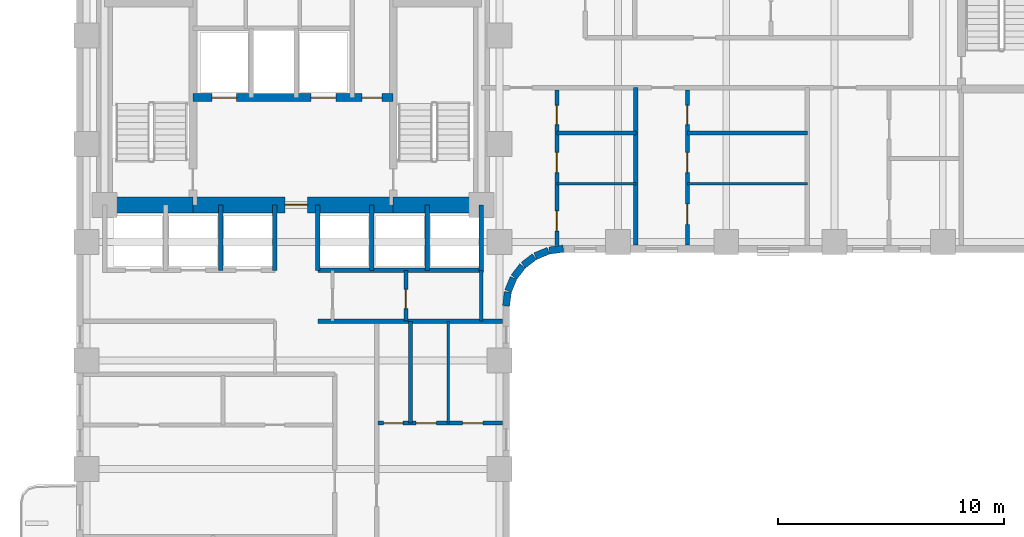
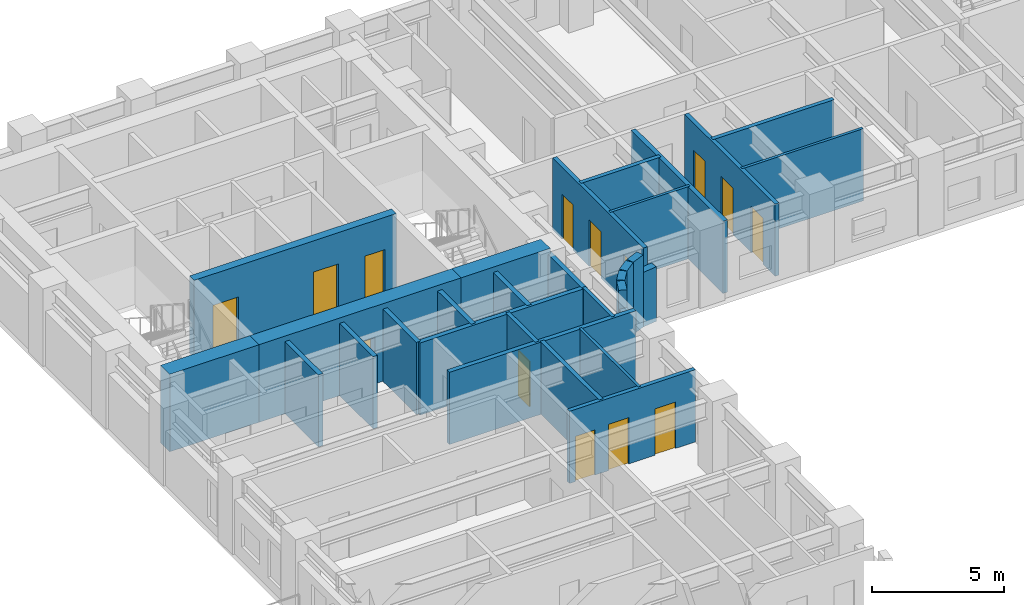
# One storey, part 4 of 11: 30 walls, 14 doors, 14 openings.
"""IFC4 building model written with IfcOpenShell, lengths in metres."""

from ifc_helpers import new_model, si_unit, direction, frame, frame_2d, origin, place, context, subcontext, project, spatial, rectangle, extrude, material, layer, layer_set, type_object, element, fill, save


model = new_model("IFC4")

# Units and contexts
model_context = context("Model", 3, precision=1e-05, world=origin(), true_north=direction((0.0, 1.0)))
body_context = subcontext(model_context, "Body", "Model", "MODEL_VIEW")
ifc_project = project(units=[si_unit("LENGTHUNIT", "METRE"), si_unit("AREAUNIT", "SQUARE_METRE"), si_unit("VOLUMEUNIT", "CUBIC_METRE"), si_unit("PLANEANGLEUNIT", "RADIAN"), si_unit("MASSUNIT", "GRAM", prefix="KILO")], contexts=[model_context])

# Site, building, storey
site_placement = place(None, origin())
site = spatial("IfcSite", under=ifc_project, at=site_placement, CompositionType="ELEMENT")
building_placement = place(site_placement, origin())
building = spatial("IfcBuilding", under=site, at=building_placement, Name="Orvandelia Arch Residences", CompositionType="ELEMENT")
storey_placement = place(building_placement, frame((0.0, 0.0, 50.199951171875)))
storey = spatial("IfcBuildingStorey", under=building, at=storey_placement, Name="L12", CompositionType="ELEMENT", Elevation=50.199951171875)

# Wall, openings, doors
ifc_material_1 = material(Name="Concrete C50/60", Category="concrete")
ifc_layer_1 = layer(ifc_material_1, 0.35009765625, Name="Concrete C50/60", Category="concrete")
ifc_layer_set_1 = layer_set([ifc_layer_1], Name="Concrete C50/60")
wall_type_1 = type_object("IfcWallType", Name="WL-CORE-350", PredefinedType="SHEAR", material=ifc_layer_set_1)
wall_1_placement = place(storey_placement, frame((9.9599609375, 35.64990234375, 0.0), z_axis=(0.0, 0.0, 1.0), x_axis=(1.0, 0.0, 0.0)))
wall_1 = element("IfcWall", 1, at=wall_1_placement, inside=storey, type_object=wall_type_1, Name="Core Shear Wall L12-HZ3", PredefinedType="SHEAR", context=body_context, shape_type="SweptSolid", body=[
    extrude(rectangle(XDim=8.880126953125, YDim=0.35009765625, at=frame_2d((4.43994140625, 0.0))), origin(), (0.0, 0.0, 1.0), 3.60009765625),
])
opening_1_placement = place(wall_1_placement, frame((0.840087890625, 0.0, 0.0)))
opening_1 = element("IfcOpeningElement", 2, at=opening_1_placement, cuts=wall_1, Name="Opening FLD", PredefinedType="OPENING", context=body_context, shape_type="SweptSolid", body=[
    extrude(rectangle(XDim=1.10009765625, YDim=2.14990234375, at=frame_2d((0.550048828125, 1.074951171875))), frame((0.0, 0.18505859375, 0.0), z_axis=(0.0, -1.0, 0.0), x_axis=(1.0, 0.0, 0.0)), (0.0, 0.0, 1.0), 0.3701171875),
])
opening_2_placement = place(wall_1_placement, frame((5.239990234375, 0.0, 0.0)))
opening_2 = element("IfcOpeningElement", 3, at=opening_2_placement, cuts=wall_1, Name="Opening FLD", PredefinedType="OPENING", context=body_context, shape_type="SweptSolid", body=[
    extrude(rectangle(XDim=1.10009765625, YDim=2.14990234375, at=frame_2d((0.550048828125, 1.074951171875))), frame((0.0, 0.18505859375, 0.0), z_axis=(0.0, -1.0, 0.0), x_axis=(1.0, 0.0, 0.0)), (0.0, 0.0, 1.0), 0.3701171875),
])
opening_3_placement = place(wall_1_placement, frame((7.5, 0.0, 0.0)))
opening_3 = element("IfcOpeningElement", 4, at=opening_3_placement, cuts=wall_1, Name="Opening D5", PredefinedType="OPENING", context=body_context, shape_type="SweptSolid", body=[
    extrude(rectangle(XDim=0.8798828125, YDim=2.10009765625, at=frame_2d((0.43994140625, 1.050048828125))), frame((0.0, 0.18505859375, 0.0), z_axis=(0.0, -1.0, 0.0), x_axis=(1.0, 0.0, 0.0)), (0.0, 0.0, 1.0), 0.3701171875),
])
ifc_material_2 = material(Name="Firefighting Lift Stainless Sliding Door")
door_type_1 = type_object("IfcDoorType", Name="DR-FLFT-1100", OperationType="NOTDEFINED", PredefinedType="DOOR", material=ifc_material_2)
door_1_placement = place(opening_1_placement, origin())
door_1 = element("IfcDoor", 5, at=door_1_placement, inside=storey, type_object=door_type_1, Name="Firefighting Lift Landing Door FLD-FL1-L12", OperationType="SLIDING_TO_LEFT", OverallHeight=2.14990234375, OverallWidth=1.10009765625, PredefinedType="DOOR", context=body_context, shape_type="SweptSolid", body=[
    extrude(rectangle(XDim=1.10009765625, YDim=2.14990234375, at=frame_2d((0.550048828125, 1.074951171875))), frame((0.0, 0.02490234375, 0.0), z_axis=(0.0, -1.0, 0.0), x_axis=(1.0, 0.0, 0.0)), (0.0, 0.0, 1.0), 0.050048828125),
])
fill(opening_1, door_1)
door_2_placement = place(opening_2_placement, origin())
door_2 = element("IfcDoor", 6, at=door_2_placement, inside=storey, type_object=door_type_1, Name="Firefighting Lift Landing Door FLD-FL2-L12", OperationType="SLIDING_TO_RIGHT", OverallHeight=2.14990234375, OverallWidth=1.10009765625, PredefinedType="DOOR", context=body_context, shape_type="SweptSolid", body=[
    extrude(rectangle(XDim=1.10009765625, YDim=2.14990234375, at=frame_2d((0.550048828125, 1.074951171875))), frame((0.0, 0.02490234375, 0.0), z_axis=(0.0, -1.0, 0.0), x_axis=(1.0, 0.0, 0.0)), (0.0, 0.0, 1.0), 0.050048828125),
])
fill(opening_2, door_2)
ifc_material_3 = material(Name="Painted Galvanised Steel Service Door", Category="steel")
door_type_2 = type_object("IfcDoorType", Name="DR-SRV-880", OperationType="NOTDEFINED", PredefinedType="DOOR", material=ifc_material_3)
door_3_placement = place(opening_3_placement, origin())
door_3 = element("IfcDoor", 7, at=door_3_placement, inside=storey, type_object=door_type_2, Name="Core Stairway Passage South Fire Door L12", OperationType="SINGLE_SWING_LEFT", OverallHeight=2.10009765625, OverallWidth=0.8798828125, PredefinedType="DOOR", context=body_context, shape_type="SweptSolid", body=[
    extrude(rectangle(XDim=0.8798828125, YDim=2.10009765625, at=frame_2d((0.43994140625, 1.050048828125))), frame((0.0, 0.02490234375, 0.0), z_axis=(0.0, -1.0, 0.0), x_axis=(1.0, 0.0, 0.0)), (0.0, 0.0, 1.0), 0.050048828125),
])
fill(opening_3, door_3)

# Wall
ifc_material_4 = material(Name="Concrete C80/95", Category="concrete")
ifc_layer_2 = layer(ifc_material_4, 0.699951171875, Name="Concrete C80/95", Category="concrete")
ifc_layer_set_2 = layer_set([ifc_layer_2], Name="Concrete C80/95")
wall_type_2 = type_object("IfcWallType", Name="WL-CORE-700", PredefinedType="SHEAR", material=ifc_layer_set_2)
wall_2_placement = place(storey_placement, frame((6.050048828125, 30.89990234375, 0.0), z_axis=(0.0, 0.0, 1.0), x_axis=(1.0, 0.0, 0.0)))
element("IfcWall", 8, at=wall_2_placement, inside=storey, type_object=wall_type_2, Name="Core Shear Wall L12-SW", PredefinedType="SHEAR", context=body_context, shape_type="SweptSolid", body=[
    extrude(rectangle(XDim=3.909912109375, YDim=0.699951171875, at=frame_2d((1.955078125, 0.0))), origin(), (0.0, 0.0, 1.0), 3.60009765625),
])

# Wall, opening, door
wall_3_placement = place(storey_placement, frame((9.9599609375, 30.89990234375, 0.0), z_axis=(0.0, 0.0, 1.0), x_axis=(1.0, 0.0, 0.0)))
wall_3 = element("IfcWall", 9, at=wall_3_placement, inside=storey, type_object=wall_type_2, Name="Core Shear Wall L12-SM", PredefinedType="SHEAR", context=body_context, shape_type="SweptSolid", body=[
    extrude(rectangle(XDim=8.880126953125, YDim=0.699951171875, at=frame_2d((4.43994140625, 0.0))), origin(), (0.0, 0.0, 1.0), 3.60009765625),
])
opening_4_placement = place(wall_3_placement, frame((4.090087890625, 0.0, 0.0)))
opening_4 = element("IfcOpeningElement", 10, at=opening_4_placement, cuts=wall_3, Name="Opening D6", PredefinedType="OPENING", context=body_context, shape_type="SweptSolid", body=[
    extrude(rectangle(XDim=1.0, YDim=2.14990234375, at=frame_2d((0.5, 1.074951171875))), frame((0.0, 0.35986328125, 0.0), z_axis=(0.0, -1.0, 0.0), x_axis=(1.0, 0.0, 0.0)), (0.0, 0.0, 1.0), 0.719970703125),
])
ifc_material_5 = material(Name="Smokeproof Painted Steel Fire Door", Category="steel")
door_type_3 = type_object("IfcDoorType", Name="DR-FD60-1000", OperationType="NOTDEFINED", PredefinedType="DOOR", material=ifc_material_5)
door_4_placement = place(opening_4_placement, origin())
door_4 = element("IfcDoor", 11, at=door_4_placement, inside=storey, type_object=door_type_3, Name="Firefighting Lobby Smokeproof Door L12", OperationType="SINGLE_SWING_LEFT", OverallHeight=2.14990234375, OverallWidth=1.0, PredefinedType="DOOR", context=body_context, shape_type="SweptSolid", body=[
    extrude(rectangle(XDim=1.0, YDim=2.14990234375, at=frame_2d((0.5, 1.074951171875))), frame((0.0, 0.02490234375, 0.0), z_axis=(0.0, -1.0, 0.0), x_axis=(1.0, 0.0, 0.0)), (0.0, 0.0, 1.0), 0.050048828125),
])
fill(opening_4, door_4)

# Walls
wall_4_placement = place(storey_placement, frame((18.840087890625, 30.89990234375, 0.0), z_axis=(0.0, 0.0, 1.0), x_axis=(1.0, 0.0, 0.0)))
element("IfcWall", 12, at=wall_4_placement, inside=storey, type_object=wall_type_2, Name="Core Shear Wall L12-SE", PredefinedType="SHEAR", context=body_context, shape_type="SweptSolid", body=[
    extrude(rectangle(XDim=3.909912109375, YDim=0.699951171875, at=frame_2d((1.955078125, 0.0))), origin(), (0.0, 0.0, 1.0), 3.60009765625),
])
ifc_material_6 = material(Name="Fire-Rated Corridor Partition")
ifc_layer_3 = layer(ifc_material_6, 0.199951171875, Name="Fire-Rated Corridor Partition")
ifc_layer_set_3 = layer_set([ifc_layer_3], Name="Fire-Rated Corridor Partition")
wall_type_3 = type_object("IfcWallType", Name="WL-CORR-200", PredefinedType="PARTITIONING", material=ifc_layer_set_3)
wall_5_placement = place(storey_placement, frame((15.5, 25.75, 0.0), z_axis=(0.0, 0.0, 1.0), x_axis=(1.0, 0.0, 0.0)))
element("IfcWall", 13, at=wall_5_placement, inside=storey, type_object=wall_type_3, Name="Interior Partition Wall WL-L12-WLNK-NE", PredefinedType="PARTITIONING", context=body_context, shape_type="SweptSolid", body=[
    extrude(rectangle(XDim=8.179931640625, YDim=0.199951171875, at=frame_2d((4.08984375, 0.0))), origin(), (0.0, 0.0, 1.0), 3.35009765625),
])
ifc_material_7 = material(Name="Concrete C40/50", Category="concrete")
ifc_layer_4 = layer(ifc_material_7, 0.199951171875, Name="Concrete C40/50", Category="concrete")
ifc_layer_set_4 = layer_set([ifc_layer_4], Name="Concrete C40/50")
wall_type_4 = type_object("IfcWallType", Name="WL-DEM-200", PredefinedType="SOLIDWALL", material=ifc_layer_set_4)
wall_6_placement = place(storey_placement, frame((29.60009765625, 29.1201171875, 0.0), z_axis=(0.0, 0.0, 1.0), x_axis=(0.0, 1.0, 0.0)))
element("IfcWall", 14, at=wall_6_placement, inside=storey, type_object=wall_type_4, Name="Interior Partition Wall WL-L12-DEM-EMS-296", PredefinedType="SOLIDWALL", context=body_context, shape_type="SweptSolid", body=[
    extrude(rectangle(XDim=6.97998046875, YDim=0.199951171875, at=frame_2d((3.489990234375, 0.0))), origin(), (0.0, 0.0, 1.0), 3.35009765625),
])
ifc_material_8 = material(Name="Precast concrete C40/50", Category="concrete")
ifc_layer_5 = layer(ifc_material_8, 0.320068359375, Name="Precast concrete C40/50", Category="concrete")
ifc_layer_set_5 = layer_set([ifc_layer_5], Name="Precast concrete C40/50")
wall_type_5 = type_object("IfcWallType", Name="WL-EXT-STONE-320", PredefinedType="STANDARD", material=ifc_layer_set_5)
wall_7_placement = place(storey_placement, frame((26.379150390625, 28.95849609375, 0.0), z_axis=(0.0, 0.0, 1.0), x_axis=(-0.991447664465, -0.130504898859, 0.0)))
element("IfcWall", 15, at=wall_7_placement, inside=storey, type_object=wall_type_5, Name="Coral-Limestone Precast Facade Wall L12-022", PredefinedType="STANDARD", context=body_context, shape_type="SweptSolid", body=[
    extrude(rectangle(XDim=0.626708984375, YDim=0.320068359375, at=frame_2d((0.3134765625, 0.0))), origin(), (0.0, 0.0, 1.0), 2.530029296875),
])
wall_8_placement = place(storey_placement, frame((25.717529296875, 28.865966796875, 0.0), z_axis=(0.0, 0.0, 1.0), x_axis=(-0.923836271867, -0.382787856107, 0.0)))
element("IfcWall", 16, at=wall_8_placement, inside=storey, type_object=wall_type_5, Name="Coral-Limestone Precast Facade Wall L12-023", PredefinedType="STANDARD", context=body_context, shape_type="SweptSolid", body=[
    extrude(rectangle(XDim=0.626220703125, YDim=0.320068359375, at=frame_2d((0.31298828125, 0.0))), origin(), (0.0, 0.0, 1.0), 3.35009765625),
])
for number, where, z_axis, x_axis, name in (
    (17, (25.1025390625, 28.60546875, 0.0), (0.0, 0.0, 1.0), (-0.793405610854, -0.608693302629, 0.0), "Coral-Limestone Precast Facade Wall L12-024"),
    (18, (24.575927734375, 28.194580078125, 0.0), (0.0, 0.0, 1.0), (-0.608693302629, -0.793405610854, 0.0), "Coral-Limestone Precast Facade Wall L12-025"),
):
    element("IfcWall", number, at=place(storey_placement, frame(where, z_axis=z_axis, x_axis=x_axis)), inside=storey, type_object=wall_type_5, Name=name, PredefinedType="STANDARD", context=body_context, shape_type="SweptSolid", body=[
        extrude(rectangle(XDim=0.62646484375, YDim=0.320068359375, at=frame_2d((0.313232421875, 0.0))), origin(), (0.0, 0.0, 1.0), 3.35009765625),
    ])
wall_9_placement = place(storey_placement, frame((24.173583984375, 27.6611328125, 0.0), z_axis=(0.0, 0.0, 1.0), x_axis=(-0.382455093999, -0.923974080304, 0.0)))
element("IfcWall", 19, at=wall_9_placement, inside=storey, type_object=wall_type_5, Name="Coral-Limestone Precast Facade Wall L12-026", PredefinedType="STANDARD", context=body_context, shape_type="SweptSolid", body=[
    extrude(rectangle(XDim=0.626220703125, YDim=0.320068359375, at=frame_2d((0.31298828125, 0.0))), origin(), (0.0, 0.0, 1.0), 3.35009765625),
])
wall_10_placement = place(storey_placement, frame((23.923095703125, 27.0419921875, 0.0), z_axis=(0.0, 0.0, 1.0), x_axis=(-0.130555323746, -0.9914410257, 0.0)))
element("IfcWall", 20, at=wall_10_placement, inside=storey, type_object=wall_type_5, Name="Coral-Limestone Precast Facade Wall L12-027", PredefinedType="STANDARD", context=body_context, shape_type="SweptSolid", body=[
    extrude(rectangle(XDim=0.62646484375, YDim=0.320068359375, at=frame_2d((0.313232421875, 0.0))), origin(), (0.0, 0.0, 1.0), 2.530029296875),
])
ifc_material_9 = material(Name="Lightweight Gypsum Stud Partition")
ifc_layer_6 = layer(ifc_material_9, 0.1201171875, Name="Lightweight Gypsum Stud Partition")
ifc_layer_set_6 = layer_set([ifc_layer_6], Name="Lightweight Gypsum Stud Partition")
wall_type_6 = type_object("IfcWallType", Name="WL-PART-120", PredefinedType="PARTITIONING", material=ifc_layer_set_6)
wall_11_placement = place(storey_placement, frame((21.284912109375, 21.22412109375, 0.0), z_axis=(0.0, 0.0, 1.0), x_axis=(0.0, 1.0, 0.0)))
element("IfcWall", 21, at=wall_11_placement, inside=storey, type_object=wall_type_6, Name="Interior Partition Wall WL-L12-U05-V2", PredefinedType="PARTITIONING", context=body_context, shape_type="SweptSolid", body=[
    extrude(rectangle(XDim=4.495849609375, YDim=0.1201171875, at=frame_2d((2.248046875, 0.0))), origin(), (0.0, 0.0, 1.0), 3.35009765625),
])
wall_12_placement = place(storey_placement, frame((26.093017578125, 31.8359375, 0.0), z_axis=(0.0, 0.0, 1.0), x_axis=(1.0, 0.0, 0.0)))
element("IfcWall", 22, at=wall_12_placement, inside=storey, type_object=wall_type_6, Name="Interior Partition Wall WL-L12-U06-H1", PredefinedType="PARTITIONING", context=body_context, shape_type="SweptSolid", body=[
    extrude(rectangle(XDim=3.507080078125, YDim=0.1201171875, at=frame_2d((1.75341796875, 0.0))), origin(), (0.0, 0.0, 1.0), 3.35009765625),
])
wall_13_placement = place(storey_placement, frame((31.8798828125, 31.8359375, 0.0), z_axis=(0.0, 0.0, 1.0), x_axis=(1.0, 0.0, 0.0)))
element("IfcWall", 23, at=wall_13_placement, inside=storey, type_object=wall_type_6, Name="Interior Partition Wall WL-L12-U07-H1", PredefinedType="PARTITIONING", context=body_context, shape_type="SweptSolid", body=[
    extrude(rectangle(XDim=5.320068359375, YDim=0.1201171875, at=frame_2d((2.66015625, 0.0))), origin(), (0.0, 0.0, 1.0), 3.35009765625),
])
ifc_material_10 = material(Name="Acoustic Gypsum Stud Partition")
ifc_layer_7 = layer(ifc_material_10, 0.14990234375, Name="Acoustic Gypsum Stud Partition")
ifc_layer_set_7 = layer_set([ifc_layer_7], Name="Acoustic Gypsum Stud Partition")
wall_type_7 = type_object("IfcWallType", Name="WL-PART-150", PredefinedType="PARTITIONING", material=ifc_layer_set_7)
wall_14_placement = place(storey_placement, frame((22.75, 25.75, 0.0), z_axis=(0.0, 0.0, 1.0), x_axis=(0.0, 1.0, 0.0)))
element("IfcWall", 24, at=wall_14_placement, inside=storey, type_object=wall_type_7, Name="Interior Partition Wall WL-L12-HLS-EE", PredefinedType="PARTITIONING", context=body_context, shape_type="SweptSolid", body=[
    extrude(rectangle(XDim=2.25, YDim=0.14990234375, at=frame_2d((1.125, 0.0))), origin(), (0.0, 0.0, 1.0), 3.35009765625),
])
ifc_material_11 = material(Name="Fire-Rated Shaft Enclosure Wall")
ifc_layer_8 = layer(ifc_material_11, 0.199951171875, Name="Fire-Rated Shaft Enclosure Wall")
ifc_layer_set_8 = layer_set([ifc_layer_8], Name="Fire-Rated Shaft Enclosure Wall")
wall_type_8 = type_object("IfcWallType", Name="WL-SHAFT-200", PredefinedType="POLYGONAL", material=ifc_layer_set_8)
wall_15_placement = place(storey_placement, frame((15.5, 28.0, 0.0), z_axis=(0.0, 0.0, 1.0), x_axis=(1.0, 0.0, 0.0)))
element("IfcWall", 25, at=wall_15_placement, inside=storey, type_object=wall_type_8, Name="Interior Partition Wall WL-L12-BNKM-S", PredefinedType="POLYGONAL", context=body_context, shape_type="SweptSolid", body=[
    extrude(rectangle(XDim=7.25, YDim=0.199951171875, at=frame_2d((3.625, 0.0))), origin(), (0.0, 0.0, 1.0), 3.35009765625),
])
wall_16_placement = place(storey_placement, frame((22.75, 27.89990234375, 0.0), z_axis=(0.0, 0.0, 1.0), x_axis=(0.0, 1.0, 0.0)))
element("IfcWall", 26, at=wall_16_placement, inside=storey, type_object=wall_type_8, Name="Interior Partition Wall WL-L12-BNKM-E", PredefinedType="POLYGONAL", context=body_context, shape_type="SweptSolid", body=[
    extrude(rectangle(XDim=3.0, YDim=0.199951171875, at=frame_2d((1.5, 0.0))), origin(), (0.0, 0.0, 1.0), 3.35009765625),
])
for number, where, z_axis, x_axis, name in (
    (27, (13.60009765625, 28.0, 0.0), (0.0, 0.0, 1.0), (0.0, 1.0, 0.0), "Interior Partition Wall WL-L12-BNKL-E"),
    (28, (15.5, 28.0, 0.0), (0.0, 0.0, 1.0), (0.0, 1.0, 0.0), "Interior Partition Wall WL-L12-BNKM-W"),
    (29, (11.199951171875, 28.0, 0.0), (0.0, 0.0, 1.0), (0.0, 1.0, 0.0), "Interior Partition Wall WL-L12-BNKD-1120"),
    (30, (17.89990234375, 28.0, 0.0), (0.0, 0.0, 1.0), (0.0, 1.0, 0.0), "Interior Partition Wall WL-L12-BNKD-1789"),
    (31, (20.35009765625, 28.0, 0.0), (0.0, 0.0, 1.0), (0.0, 1.0, 0.0), "Interior Partition Wall WL-L12-BNKD-2035"),
):
    element("IfcWall", number, at=place(storey_placement, frame(where, z_axis=z_axis, x_axis=x_axis)), inside=storey, type_object=wall_type_8, Name=name, PredefinedType="POLYGONAL", context=body_context, shape_type="SweptSolid", body=[
        extrude(rectangle(XDim=2.89990234375, YDim=0.199951171875, at=frame_2d((1.449951171875, 0.0))), origin(), (0.0, 0.0, 1.0), 3.35009765625),
    ])

# Wall, opening, door
ifc_material_12 = material(Name="Moisture-Resistant Plumbing Wall")
ifc_layer_9 = layer(ifc_material_12, 0.179931640625, Name="Moisture-Resistant Plumbing Wall")
ifc_layer_set_9 = layer_set([ifc_layer_9], Name="Moisture-Resistant Plumbing Wall")
wall_type_9 = type_object("IfcWallType", Name="WL-WET-180", PredefinedType="PLUMBINGWALL", material=ifc_layer_set_9)
wall_17_placement = place(storey_placement, frame((19.39990234375, 25.75, 0.0), z_axis=(0.0, 0.0, 1.0), x_axis=(0.0, 1.0, 0.0)))
wall_17 = element("IfcWall", 32, at=wall_17_placement, inside=storey, type_object=wall_type_9, Name="Interior Partition Wall WL-L12-HLS-ZM2", PredefinedType="PLUMBINGWALL", context=body_context, shape_type="SweptSolid", body=[
    extrude(rectangle(XDim=2.25, YDim=0.179931640625, at=frame_2d((1.125, 0.0))), origin(), (0.0, 0.0, 1.0), 3.35009765625),
])
opening_5_placement = place(wall_17_placement, frame((0.550048828125, 0.0, 0.0)))
opening_5 = element("IfcOpeningElement", 33, at=opening_5_placement, cuts=wall_17, Name="Opening D4", PredefinedType="OPENING", context=body_context, shape_type="SweptSolid", body=[
    extrude(rectangle(XDim=0.860107421875, YDim=2.10009765625, at=frame_2d((0.43017578125, 1.050048828125))), frame((0.0, 0.10009765625, 0.0), z_axis=(0.0, -1.0, 0.0), x_axis=(1.0, 0.0, 0.0)), (0.0, 0.0, 1.0), 0.199951171875),
])
ifc_material_13 = material(Name="Moisture-Sealed Timber Bathroom Door", Category="wood")
door_type_4 = type_object("IfcDoorType", Name="DR-WET-900", OperationType="NOTDEFINED", PredefinedType="DOOR", material=ifc_material_13)
door_5_placement = place(opening_5_placement, origin())
door_5 = element("IfcDoor", 34, at=door_5_placement, inside=storey, type_object=door_type_4, Name="DR-L12-CSZ1B", OperationType="SINGLE_SWING_LEFT", OverallHeight=2.10009765625, OverallWidth=0.860107421875, PredefinedType="DOOR", context=body_context, shape_type="SweptSolid", body=[
    extrude(rectangle(XDim=0.860107421875, YDim=2.10009765625, at=frame_2d((0.43017578125, 1.050048828125))), frame((0.0, 0.02490234375, 0.0), z_axis=(0.0, -1.0, 0.0), x_axis=(1.0, 0.0, 0.0)), (0.0, 0.0, 1.0), 0.050048828125),
])
fill(opening_5, door_5)

# Wall, openings, doors
wall_18_placement = place(storey_placement, frame((18.159912109375, 21.22412109375, 0.0), z_axis=(0.0, 0.0, 1.0), x_axis=(1.0, 0.0, 0.0)))
wall_18 = element("IfcWall", 35, at=wall_18_placement, inside=storey, type_object=wall_type_9, Name="Interior Partition Wall WL-L12-U05-HZ", PredefinedType="PLUMBINGWALL", context=body_context, shape_type="SweptSolid", body=[
    extrude(rectangle(XDim=5.52001953125, YDim=0.179931640625, at=frame_2d((2.760009765625, 0.0))), origin(), (0.0, 0.0, 1.0), 3.35009765625),
])
opening_6_placement = place(wall_18_placement, frame((0.260009765625, 0.0, 0.0)))
opening_6 = element("IfcOpeningElement", 36, at=opening_6_placement, cuts=wall_18, Name="Opening D4", PredefinedType="OPENING", context=body_context, shape_type="SweptSolid", body=[
    extrude(rectangle(XDim=0.860107421875, YDim=2.10009765625, at=frame_2d((0.43017578125, 1.050048828125))), frame((0.0, 0.10009765625, 0.0), z_axis=(0.0, -1.0, 0.0), x_axis=(1.0, 0.0, 0.0)), (0.0, 0.0, 1.0), 0.199951171875),
])
opening_7_placement = place(wall_18_placement, frame((1.697998046875, 0.0, 0.0)))
opening_7 = element("IfcOpeningElement", 37, at=opening_7_placement, cuts=wall_18, Name="Opening D3", PredefinedType="OPENING", context=body_context, shape_type="SweptSolid", body=[
    extrude(rectangle(XDim=0.89990234375, YDim=2.14990234375, at=frame_2d((0.449951171875, 1.074951171875))), frame((0.0, 0.10009765625, 0.0), z_axis=(0.0, -1.0, 0.0), x_axis=(1.0, 0.0, 0.0)), (0.0, 0.0, 1.0), 0.199951171875),
])
opening_8_placement = place(wall_18_placement, frame((3.757080078125, 0.0, 0.0)))
opening_8 = element("IfcOpeningElement", 38, at=opening_8_placement, cuts=wall_18, Name="Opening D3", PredefinedType="OPENING", context=body_context, shape_type="SweptSolid", body=[
    extrude(rectangle(XDim=0.89990234375, YDim=2.14990234375, at=frame_2d((0.449951171875, 1.074951171875))), frame((0.0, 0.10009765625, 0.0), z_axis=(0.0, -1.0, 0.0), x_axis=(1.0, 0.0, 0.0)), (0.0, 0.0, 1.0), 0.199951171875),
])
ifc_material_14 = material(Name="Engineered Timber Flush Door", Category="wood")
door_type_5 = type_object("IfcDoorType", Name="DR-INT-900", OperationType="NOTDEFINED", PredefinedType="DOOR", material=ifc_material_14)
door_6_placement = place(opening_7_placement, origin())
door_6 = element("IfcDoor", 39, at=door_6_placement, inside=storey, type_object=door_type_5, Name="DR-L12-U05-KIT", OperationType="SINGLE_SWING_LEFT", OverallHeight=2.14990234375, OverallWidth=0.89990234375, PredefinedType="DOOR", context=body_context, shape_type="SweptSolid", body=[
    extrude(rectangle(XDim=0.89990234375, YDim=2.14990234375, at=frame_2d((0.449951171875, 1.074951171875))), frame((0.0, 0.02490234375, 0.0), z_axis=(0.0, -1.0, 0.0), x_axis=(1.0, 0.0, 0.0)), (0.0, 0.0, 1.0), 0.050048828125),
])
fill(opening_7, door_6)
door_7_placement = place(opening_8_placement, origin())
door_7 = element("IfcDoor", 40, at=door_7_placement, inside=storey, type_object=door_type_5, Name="DR-L12-U05-BD1", OperationType="SINGLE_SWING_RIGHT", OverallHeight=2.14990234375, OverallWidth=0.89990234375, PredefinedType="DOOR", context=body_context, shape_type="SweptSolid", body=[
    extrude(rectangle(XDim=0.89990234375, YDim=2.14990234375, at=frame_2d((0.449951171875, 1.074951171875))), frame((0.0, 0.02490234375, 0.0), z_axis=(0.0, -1.0, 0.0), x_axis=(1.0, 0.0, 0.0)), (0.0, 0.0, 1.0), 0.050048828125),
])
fill(opening_8, door_7)
door_8_placement = place(opening_6_placement, origin())
door_8 = element("IfcDoor", 41, at=door_8_placement, inside=storey, type_object=door_type_4, Name="DR-L12-U05-BTH", OperationType="SINGLE_SWING_RIGHT", OverallHeight=2.10009765625, OverallWidth=0.860107421875, PredefinedType="DOOR", context=body_context, shape_type="SweptSolid", body=[
    extrude(rectangle(XDim=0.860107421875, YDim=2.10009765625, at=frame_2d((0.43017578125, 1.050048828125))), frame((0.0, 0.02490234375, 0.0), z_axis=(0.0, -1.0, 0.0), x_axis=(1.0, 0.0, 0.0)), (0.0, 0.0, 1.0), 0.050048828125),
])
fill(opening_6, door_8)

# Wall
wall_19_placement = place(storey_placement, frame((19.597900390625, 21.22412109375, 0.0), z_axis=(0.0, 0.0, 1.0), x_axis=(0.0, 1.0, 0.0)))
element("IfcWall", 42, at=wall_19_placement, inside=storey, type_object=wall_type_9, Name="Interior Partition Wall WL-L12-U05-V1", PredefinedType="PLUMBINGWALL", context=body_context, shape_type="SweptSolid", body=[
    extrude(rectangle(XDim=4.495849609375, YDim=0.179931640625, at=frame_2d((2.248046875, 0.0))), origin(), (0.0, 0.0, 1.0), 3.35009765625),
])

# Wall, openings, doors
wall_20_placement = place(storey_placement, frame((26.093017578125, 29.10009765625, 0.0), z_axis=(0.0, 0.0, 1.0), x_axis=(0.0, 1.0, 0.0)))
wall_20 = element("IfcWall", 43, at=wall_20_placement, inside=storey, type_object=wall_type_9, Name="Interior Partition Wall WL-L12-U06-VT", PredefinedType="PLUMBINGWALL", context=body_context, shape_type="SweptSolid", body=[
    extrude(rectangle(XDim=6.89990234375, YDim=0.179931640625, at=frame_2d((3.449951171875, 0.0))), origin(), (0.0, 0.0, 1.0), 3.35009765625),
])
opening_9_placement = place(wall_20_placement, frame((0.63671875, 0.0, 0.0)))
opening_9 = element("IfcOpeningElement", 44, at=opening_9_placement, cuts=wall_20, Name="Opening D3", PredefinedType="OPENING", context=body_context, shape_type="SweptSolid", body=[
    extrude(rectangle(XDim=0.89990234375, YDim=2.14990234375, at=frame_2d((0.449951171875, 1.074951171875))), frame((0.0, 0.10009765625, 0.0), z_axis=(0.0, -1.0, 0.0), x_axis=(1.0, 0.0, 0.0)), (0.0, 0.0, 1.0), 0.199951171875),
])
opening_10_placement = place(wall_20_placement, frame((3.23046875, 0.0, 0.0)))
opening_10 = element("IfcOpeningElement", 45, at=opening_10_placement, cuts=wall_20, Name="Opening D3", PredefinedType="OPENING", context=body_context, shape_type="SweptSolid", body=[
    extrude(rectangle(XDim=0.89990234375, YDim=2.14990234375, at=frame_2d((0.449951171875, 1.074951171875))), frame((0.0, 0.10009765625, 0.0), z_axis=(0.0, -1.0, 0.0), x_axis=(1.0, 0.0, 0.0)), (0.0, 0.0, 1.0), 0.199951171875),
])
opening_11_placement = place(wall_20_placement, frame((5.351806640625, 0.0, 0.0)))
opening_11 = element("IfcOpeningElement", 46, at=opening_11_placement, cuts=wall_20, Name="Opening D4", PredefinedType="OPENING", context=body_context, shape_type="SweptSolid", body=[
    extrude(rectangle(XDim=0.860107421875, YDim=2.10009765625, at=frame_2d((0.43017578125, 1.050048828125))), frame((0.0, 0.10009765625, 0.0), z_axis=(0.0, -1.0, 0.0), x_axis=(1.0, 0.0, 0.0)), (0.0, 0.0, 1.0), 0.199951171875),
])
door_9_placement = place(opening_9_placement, origin())
door_9 = element("IfcDoor", 47, at=door_9_placement, inside=storey, type_object=door_type_5, Name="DR-L12-U06-BD1", OperationType="SINGLE_SWING_RIGHT", OverallHeight=2.14990234375, OverallWidth=0.89990234375, PredefinedType="DOOR", context=body_context, shape_type="SweptSolid", body=[
    extrude(rectangle(XDim=0.89990234375, YDim=2.14990234375, at=frame_2d((0.449951171875, 1.074951171875))), frame((0.0, 0.02490234375, 0.0), z_axis=(0.0, -1.0, 0.0), x_axis=(1.0, 0.0, 0.0)), (0.0, 0.0, 1.0), 0.050048828125),
])
fill(opening_9, door_9)
door_10_placement = place(opening_10_placement, origin())
door_10 = element("IfcDoor", 48, at=door_10_placement, inside=storey, type_object=door_type_5, Name="DR-L12-U06-KIT", OperationType="SINGLE_SWING_LEFT", OverallHeight=2.14990234375, OverallWidth=0.89990234375, PredefinedType="DOOR", context=body_context, shape_type="SweptSolid", body=[
    extrude(rectangle(XDim=0.89990234375, YDim=2.14990234375, at=frame_2d((0.449951171875, 1.074951171875))), frame((0.0, 0.02490234375, 0.0), z_axis=(0.0, -1.0, 0.0), x_axis=(1.0, 0.0, 0.0)), (0.0, 0.0, 1.0), 0.050048828125),
])
fill(opening_10, door_10)
door_11_placement = place(opening_11_placement, origin())
door_11 = element("IfcDoor", 49, at=door_11_placement, inside=storey, type_object=door_type_4, Name="DR-L12-U06-BTH", OperationType="SINGLE_SWING_RIGHT", OverallHeight=2.10009765625, OverallWidth=0.860107421875, PredefinedType="DOOR", context=body_context, shape_type="SweptSolid", body=[
    extrude(rectangle(XDim=0.860107421875, YDim=2.10009765625, at=frame_2d((0.43017578125, 1.050048828125))), frame((0.0, 0.02490234375, 0.0), z_axis=(0.0, -1.0, 0.0), x_axis=(1.0, 0.0, 0.0)), (0.0, 0.0, 1.0), 0.050048828125),
])
fill(opening_11, door_11)

# Wall
wall_21_placement = place(storey_placement, frame((26.093017578125, 34.0849609375, 0.0), z_axis=(0.0, 0.0, 1.0), x_axis=(1.0, 0.0, 0.0)))
element("IfcWall", 50, at=wall_21_placement, inside=storey, type_object=wall_type_9, Name="Interior Partition Wall WL-L12-U06-H2", PredefinedType="PLUMBINGWALL", context=body_context, shape_type="SweptSolid", body=[
    extrude(rectangle(XDim=3.507080078125, YDim=0.179931640625, at=frame_2d((1.75341796875, 0.0))), origin(), (0.0, 0.0, 1.0), 3.35009765625),
])

# Wall, openings, doors
wall_22_placement = place(storey_placement, frame((31.8798828125, 29.1201171875, 0.0), z_axis=(0.0, 0.0, 1.0), x_axis=(0.0, 1.0, 0.0)))
wall_22 = element("IfcWall", 51, at=wall_22_placement, inside=storey, type_object=wall_type_9, Name="Interior Partition Wall WL-L12-U07-VT", PredefinedType="PLUMBINGWALL", context=body_context, shape_type="SweptSolid", body=[
    extrude(rectangle(XDim=6.8798828125, YDim=0.179931640625, at=frame_2d((3.43994140625, 0.0))), origin(), (0.0, 0.0, 1.0), 3.35009765625),
])
opening_12_placement = place(wall_22_placement, frame((0.916748046875, 0.0, 0.0)))
opening_12 = element("IfcOpeningElement", 52, at=opening_12_placement, cuts=wall_22, Name="Opening D3", PredefinedType="OPENING", context=body_context, shape_type="SweptSolid", body=[
    extrude(rectangle(XDim=0.89990234375, YDim=2.14990234375, at=frame_2d((0.449951171875, 1.074951171875))), frame((0.0, 0.10009765625, 0.0), z_axis=(0.0, -1.0, 0.0), x_axis=(1.0, 0.0, 0.0)), (0.0, 0.0, 1.0), 0.199951171875),
])
opening_13_placement = place(wall_22_placement, frame((3.21044921875, 0.0, 0.0)))
opening_13 = element("IfcOpeningElement", 53, at=opening_13_placement, cuts=wall_22, Name="Opening D3", PredefinedType="OPENING", context=body_context, shape_type="SweptSolid", body=[
    extrude(rectangle(XDim=0.89990234375, YDim=2.14990234375, at=frame_2d((0.449951171875, 1.074951171875))), frame((0.0, 0.10009765625, 0.0), z_axis=(0.0, -1.0, 0.0), x_axis=(1.0, 0.0, 0.0)), (0.0, 0.0, 1.0), 0.199951171875),
])
opening_14_placement = place(wall_22_placement, frame((5.331787109375, 0.0, 0.0)))
opening_14 = element("IfcOpeningElement", 54, at=opening_14_placement, cuts=wall_22, Name="Opening D4", PredefinedType="OPENING", context=body_context, shape_type="SweptSolid", body=[
    extrude(rectangle(XDim=0.860107421875, YDim=2.10009765625, at=frame_2d((0.43017578125, 1.050048828125))), frame((0.0, 0.10009765625, 0.0), z_axis=(0.0, -1.0, 0.0), x_axis=(1.0, 0.0, 0.0)), (0.0, 0.0, 1.0), 0.199951171875),
])
door_12_placement = place(opening_12_placement, origin())
door_12 = element("IfcDoor", 55, at=door_12_placement, inside=storey, type_object=door_type_5, Name="DR-L12-U07-BD1", OperationType="SINGLE_SWING_LEFT", OverallHeight=2.14990234375, OverallWidth=0.89990234375, PredefinedType="DOOR", context=body_context, shape_type="SweptSolid", body=[
    extrude(rectangle(XDim=0.89990234375, YDim=2.14990234375, at=frame_2d((0.449951171875, 1.074951171875))), frame((0.0, 0.02490234375, 0.0), z_axis=(0.0, -1.0, 0.0), x_axis=(1.0, 0.0, 0.0)), (0.0, 0.0, 1.0), 0.050048828125),
])
fill(opening_12, door_12)
door_13_placement = place(opening_13_placement, origin())
door_13 = element("IfcDoor", 56, at=door_13_placement, inside=storey, type_object=door_type_5, Name="DR-L12-U07-KIT", OperationType="SINGLE_SWING_RIGHT", OverallHeight=2.14990234375, OverallWidth=0.89990234375, PredefinedType="DOOR", context=body_context, shape_type="SweptSolid", body=[
    extrude(rectangle(XDim=0.89990234375, YDim=2.14990234375, at=frame_2d((0.449951171875, 1.074951171875))), frame((0.0, 0.02490234375, 0.0), z_axis=(0.0, -1.0, 0.0), x_axis=(1.0, 0.0, 0.0)), (0.0, 0.0, 1.0), 0.050048828125),
])
fill(opening_13, door_13)
door_14_placement = place(opening_14_placement, origin())
door_14 = element("IfcDoor", 57, at=door_14_placement, inside=storey, type_object=door_type_4, Name="DR-L12-U07-BTH", OperationType="SINGLE_SWING_LEFT", OverallHeight=2.10009765625, OverallWidth=0.860107421875, PredefinedType="DOOR", context=body_context, shape_type="SweptSolid", body=[
    extrude(rectangle(XDim=0.860107421875, YDim=2.10009765625, at=frame_2d((0.43017578125, 1.050048828125))), frame((0.0, 0.02490234375, 0.0), z_axis=(0.0, -1.0, 0.0), x_axis=(1.0, 0.0, 0.0)), (0.0, 0.0, 1.0), 0.050048828125),
])
fill(opening_14, door_14)

# Wall
wall_23_placement = place(storey_placement, frame((31.8798828125, 34.0849609375, 0.0), z_axis=(0.0, 0.0, 1.0), x_axis=(1.0, 0.0, 0.0)))
element("IfcWall", 58, at=wall_23_placement, inside=storey, type_object=wall_type_9, Name="Interior Partition Wall WL-L12-U07-H2", PredefinedType="PLUMBINGWALL", context=body_context, shape_type="SweptSolid", body=[
    extrude(rectangle(XDim=5.320068359375, YDim=0.179931640625, at=frame_2d((2.66015625, 0.0))), origin(), (0.0, 0.0, 1.0), 3.35009765625),
])

save(model, "model.ifc")
